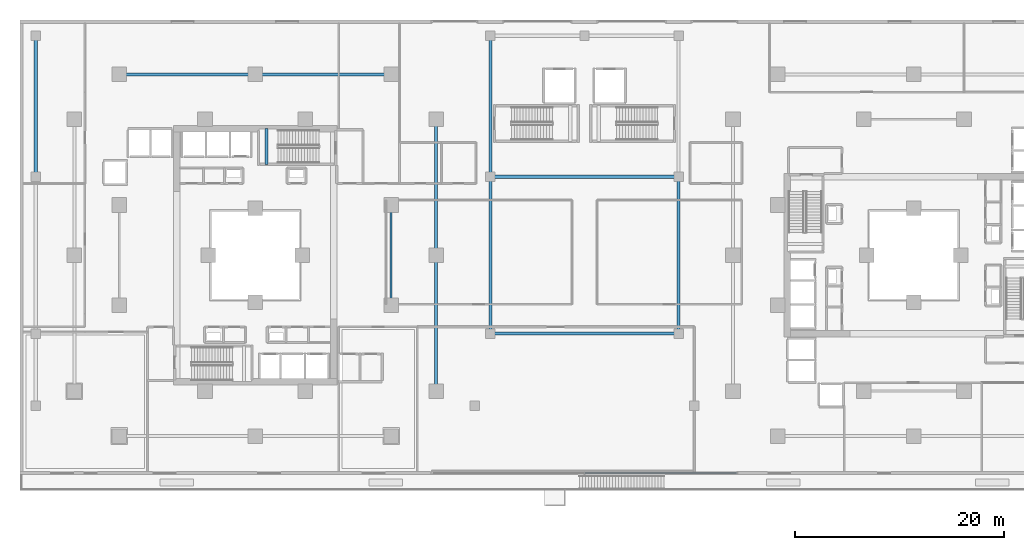
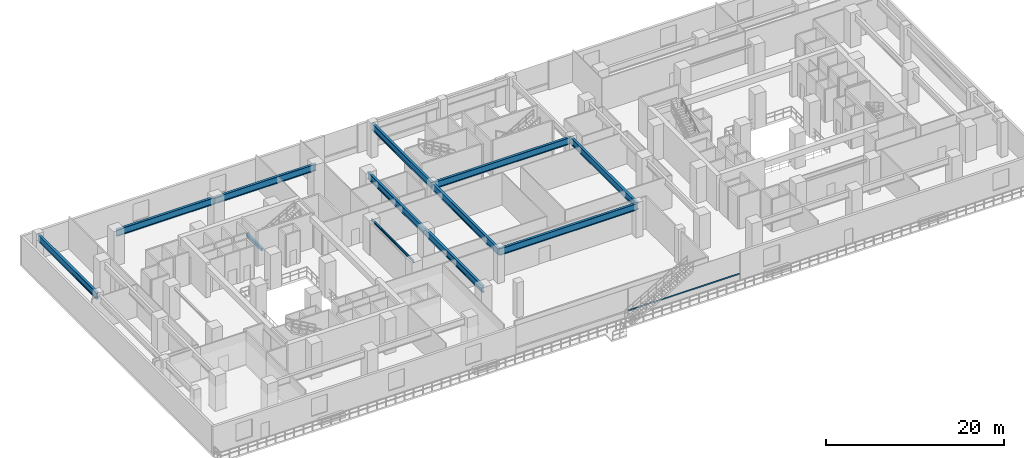
# One storey, part 3 of 22: 12 beams, 1 member, 1 element without a shape of its own.
"""IFC4 building model written with IfcOpenShell, lengths in metres."""

from ifc_helpers import new_model, si_unit, direction, frame, origin, origin_2d, place, context, subcontext, project, spatial, rectangle, hollow_rectangle, i_section, extrude, material, material_profile, profile_set, type_object, element, aggregate, save


model = new_model("IFC4")

# Units and contexts
model_context = context("Model", 3, precision=1e-05, world=origin(), true_north=direction((0.0, 1.0)))
body_context = subcontext(model_context, "Body", "Model", "MODEL_VIEW")
ifc_project = project(units=[si_unit("LENGTHUNIT", "METRE"), si_unit("AREAUNIT", "SQUARE_METRE"), si_unit("VOLUMEUNIT", "CUBIC_METRE"), si_unit("PLANEANGLEUNIT", "RADIAN"), si_unit("MASSUNIT", "GRAM", prefix="KILO")], contexts=[model_context])

# Site, building, storey
site_placement = place(None, origin())
site = spatial("IfcSite", under=ifc_project, at=site_placement, CompositionType="ELEMENT")
building_placement = place(site_placement, origin())
building = spatial("IfcBuilding", under=site, at=building_placement, Name="Thornwick Lancets Civic Towers", CompositionType="ELEMENT")
storey_placement = place(building_placement, frame((0.0, 0.0, 4.800048828125)))
storey = spatial("IfcBuildingStorey", under=building, at=storey_placement, Name="L01", CompositionType="ELEMENT", Elevation=4.800048828125)

# Beams
ifc_material_1 = material(Name="Steel S355JR", Category="steel")
ifc_material_profile_1 = material_profile(ifc_material_1, i_section(OverallWidth=0.1669921875, OverallDepth=0.310302734375, WebThickness=0.0078125, FlangeThickness=0.013671875, FilletRadius=0.0087890625, at=origin_2d()), Name="UKB 305x165x54")
ifc_profile_set_1 = profile_set([ifc_material_profile_1], Name="Steel S355JR")
beam_type_1 = type_object("IfcBeamType", Name="BM_LINTEL_305_54", PredefinedType="LINTEL", material=ifc_profile_set_1)
beam_1_placement = place(storey_placement, frame((38.5, 22.199951171875, 4.32470703125), z_axis=(0.0, 1.0, 0.0), x_axis=(-1.0, 0.0, 0.0)))
element("IfcBeam", 1, at=beam_1_placement, inside=storey, type_object=beam_type_1, Name="BM-INSP-L01-A-1-3", PredefinedType="LINTEL", context=body_context, shape_type="SweptSolid", body=[
    extrude(i_section(OverallWidth=0.1669921875, OverallDepth=0.310302734375, WebThickness=0.0078125, FlangeThickness=0.013671875, FilletRadius=0.0087890625, at=origin_2d()), origin(), (0.0, 0.0, 1.0), 9.60009765625),
])
ifc_material_profile_2 = material_profile(ifc_material_1, i_section(OverallWidth=0.3076171875, OverallDepth=0.926513671875, WebThickness=0.01953125, FlangeThickness=0.031982421875, FilletRadius=0.01904296875, at=origin_2d()), Name="UKB 914x305x289")
ifc_profile_set_2 = profile_set([ifc_material_profile_2], Name="Steel S355JR")
beam_type_2 = type_object("IfcBeamType", Name="BM_POD_914_289", PredefinedType="BEAM", material=ifc_profile_set_2)
beam_2_placement = place(storey_placement, frame((42.800048828125, 14.0, 4.0166015625), z_axis=(0.0, 1.0, 0.0), x_axis=(-1.0, 0.0, 0.0)))
element("IfcBeam", 2, at=beam_2_placement, inside=storey, type_object=beam_type_2, Name="BM-SPINE-L01-A-3-4", PredefinedType="BEAM", context=body_context, shape_type="SweptSolid", body=[
    extrude(i_section(OverallWidth=0.3076171875, OverallDepth=0.926513671875, WebThickness=0.01953125, FlangeThickness=0.031982421875, FilletRadius=0.01904296875, at=origin_2d()), origin(), (0.0, 0.0, 1.0), 13.0),
])
beam_3_placement = place(storey_placement, frame((42.800048828125, 27.080078125, 4.0166015625), z_axis=(0.0, 1.0, 0.0), x_axis=(-1.0, 0.0, 0.0)))
element("IfcBeam", 3, at=beam_3_placement, inside=storey, type_object=beam_type_2, Name="BM-SPINE-L01-A-4-5", PredefinedType="BEAM", context=body_context, shape_type="SweptSolid", body=[
    extrude(i_section(OverallWidth=0.3076171875, OverallDepth=0.926513671875, WebThickness=0.01953125, FlangeThickness=0.031982421875, FilletRadius=0.01904296875, at=origin_2d()), origin(), (0.0, 0.0, 1.0), 12.919921875),
])
beam_4_placement = place(storey_placement, frame((12.5, 44.300048828125, 4.0166015625), z_axis=(1.0, 0.0, 0.0), x_axis=(0.0, 1.0, 0.0)))
element("IfcBeam", 4, at=beam_4_placement, inside=storey, type_object=beam_type_2, Name="BM-SPINE-L01-A-6-7", PredefinedType="BEAM", context=body_context, shape_type="SweptSolid", body=[
    extrude(i_section(OverallWidth=0.3076171875, OverallDepth=0.926513671875, WebThickness=0.01953125, FlangeThickness=0.031982421875, FilletRadius=0.01904296875, at=origin_2d()), origin(), (0.0, 0.0, 1.0), 13.0),
])
beam_5_placement = place(storey_placement, frame((25.580078125, 44.300048828125, 4.0166015625), z_axis=(1.0, 0.0, 0.0), x_axis=(0.0, 1.0, 0.0)))
element("IfcBeam", 5, at=beam_5_placement, inside=storey, type_object=beam_type_2, Name="BM-SPINE-L01-A-7-8", PredefinedType="BEAM", context=body_context, shape_type="SweptSolid", body=[
    extrude(i_section(OverallWidth=0.3076171875, OverallDepth=0.926513671875, WebThickness=0.01953125, FlangeThickness=0.031982421875, FilletRadius=0.01904296875, at=origin_2d()), origin(), (0.0, 0.0, 1.0), 12.919921875),
])
beam_6_placement = place(storey_placement, frame((4.5, 34.580078125, 4.0166015625), z_axis=(0.0, 1.0, 0.0), x_axis=(-1.0, 0.0, 0.0)))
element("IfcBeam", 6, at=beam_6_placement, inside=storey, type_object=beam_type_2, Name="BM-PODG-L01-5-6", PredefinedType="BEAM", context=body_context, shape_type="SweptSolid", body=[
    extrude(i_section(OverallWidth=0.3076171875, OverallDepth=0.926513671875, WebThickness=0.01953125, FlangeThickness=0.031982421875, FilletRadius=0.01904296875, at=origin_2d()), origin(), (0.0, 0.0, 1.0), 13.419921875),
])
beam_7_placement = place(storey_placement, frame((48.0, 19.5, 4.0166015625), z_axis=(1.0, 0.0, 0.0), x_axis=(0.0, 1.0, 0.0)))
element("IfcBeam", 7, at=beam_7_placement, inside=storey, type_object=beam_type_2, Name="BM-PODG-L01-7-8", PredefinedType="BEAM", context=body_context, shape_type="SweptSolid", body=[
    extrude(i_section(OverallWidth=0.3076171875, OverallDepth=0.926513671875, WebThickness=0.01953125, FlangeThickness=0.031982421875, FilletRadius=0.01904296875, at=origin_2d()), origin(), (0.0, 0.0, 1.0), 18.0),
])
for number, where, z_axis, x_axis, name in (
    (8, (48.0, 19.5, 4.0166015625), (0.0, 1.0, 0.0), (-1.0, 0.0, 0.0), "BM-PODG-L01-7-9"),
    (9, (66.0, 19.5, 4.0166015625), (0.0, 1.0, 0.0), (-1.0, 0.0, 0.0), "BM-PODG-L01-8-10"),
):
    element("IfcBeam", number, at=place(storey_placement, frame(where, z_axis=z_axis, x_axis=x_axis)), inside=storey, type_object=beam_type_2, Name=name, PredefinedType="BEAM", context=body_context, shape_type="SweptSolid", body=[
        extrude(i_section(OverallWidth=0.3076171875, OverallDepth=0.926513671875, WebThickness=0.01953125, FlangeThickness=0.031982421875, FilletRadius=0.01904296875, at=origin_2d()), origin(), (0.0, 0.0, 1.0), 15.0),
    ])
beam_8_placement = place(storey_placement, frame((48.0, 34.5, 4.0166015625), z_axis=(1.0, 0.0, 0.0), x_axis=(0.0, 1.0, 0.0)))
element("IfcBeam", 10, at=beam_8_placement, inside=storey, type_object=beam_type_2, Name="BM-PODG-L01-9-10", PredefinedType="BEAM", context=body_context, shape_type="SweptSolid", body=[
    extrude(i_section(OverallWidth=0.3076171875, OverallDepth=0.926513671875, WebThickness=0.01953125, FlangeThickness=0.031982421875, FilletRadius=0.01904296875, at=origin_2d()), origin(), (0.0, 0.0, 1.0), 18.0),
])
beam_9_placement = place(storey_placement, frame((48.0, 34.580078125, 4.0166015625), z_axis=(0.0, 1.0, 0.0), x_axis=(-1.0, 0.0, 0.0)))
element("IfcBeam", 11, at=beam_9_placement, inside=storey, type_object=beam_type_2, Name="BM-PODG-L01-9-11", PredefinedType="BEAM", context=body_context, shape_type="SweptSolid", body=[
    extrude(i_section(OverallWidth=0.3076171875, OverallDepth=0.926513671875, WebThickness=0.01953125, FlangeThickness=0.031982421875, FilletRadius=0.01904296875, at=origin_2d()), origin(), (0.0, 0.0, 1.0), 13.419921875),
])
ifc_material_2 = material(Name="Concrete C40/50", Category="concrete")
ifc_material_profile_3 = material_profile(ifc_material_2, rectangle(XDim=0.300048828125, YDim=0.35009765625, at=origin_2d()), Name="RC 300x350")
ifc_profile_set_3 = profile_set([ifc_material_profile_3], Name="Concrete C40/50")
beam_type_3 = type_object("IfcBeamType", Name="BM_STAIR_LDG", PredefinedType="BEAM", material=ifc_profile_set_3)
beam_10_placement = place(storey_placement, frame((26.56494140625, 39.10009765625, 1.97802734375), z_axis=(0.0, -1.0, 0.0), x_axis=(1.0, 0.0, 0.0)))
element("IfcBeam", 12, at=beam_10_placement, inside=storey, type_object=beam_type_3, Name="L01 ST-A2 Landing Support Beam 1", PredefinedType="BEAM", context=body_context, shape_type="SweptSolid", body=[
    extrude(rectangle(XDim=0.300048828125, YDim=0.35009765625, at=origin_2d()), origin(), (0.0, 0.0, 1.0), 3.400146484375),
])

# Curtain wall, member
ifc_material_3 = material(Name="Bronze aluminium Gothic lancet podium curtain wall", Category="aluminium")
curtain_wall_type = type_object("IfcCurtainWallType", Name="CW_SYS_01", PredefinedType="NOTDEFINED", material=ifc_material_3)
curtain_wall_placement = place(storey_placement, origin())
curtain_wall = element("IfcCurtainWall", 13, at=curtain_wall_placement, inside=storey, type_object=curtain_wall_type, Name="L01 Curtain Wall CW-L01-POD-SC", PredefinedType="NOTDEFINED")
ifc_material_4 = material(Name="Thermally broken bronze aluminium S355", Category="steel")
ifc_material_profile_4 = material_profile(ifc_material_4, hollow_rectangle(XDim=0.074951171875, YDim=0.179931640625, WallThickness=0.006103515625, at=origin_2d()), Name="RHS 180x75x6")
ifc_profile_set_4 = profile_set([ifc_material_profile_4], Name="Thermally broken bronze aluminium S355")
member_type = type_object("IfcMemberType", Name="CW_TRN_180", PredefinedType="USERDEFINED", material=ifc_profile_set_4)
member_placement = place(storey_placement, frame((57.02001953125, 6.159912109375, 0.849853515625), z_axis=(1.0, 0.0, 0.0), x_axis=(0.0, 1.0, 0.0)))
member = element("IfcMember", 14, at=member_placement, type_object=member_type, Name="CW-L01-POD-SC Transom 1", ObjectType="TRANSOM", PredefinedType="USERDEFINED", context=body_context, shape_type="SweptSolid", body=[
    extrude(hollow_rectangle(XDim=0.074951171875, YDim=0.179931640625, WallThickness=0.006103515625, at=origin_2d()), origin(), (0.0, 0.0, 1.0), 14.56005859375),
])
aggregate(curtain_wall, [member])

save(model, "model.ifc")
